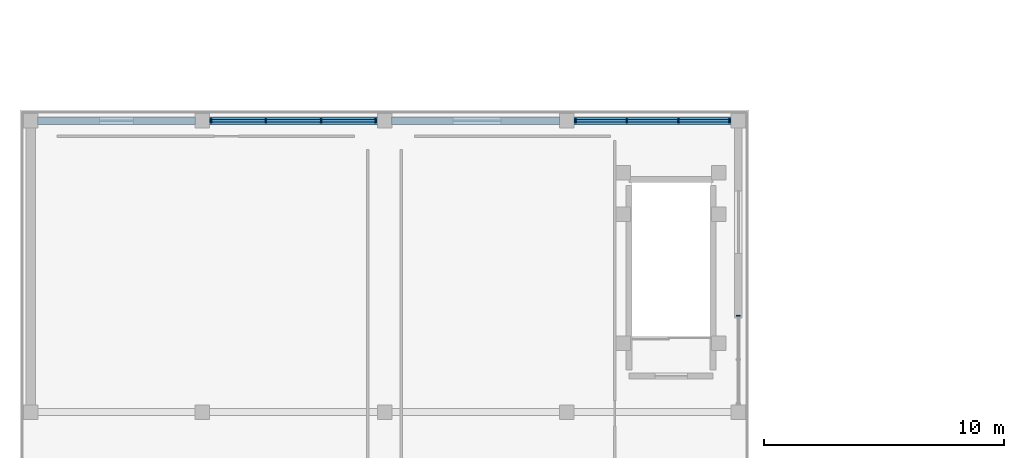
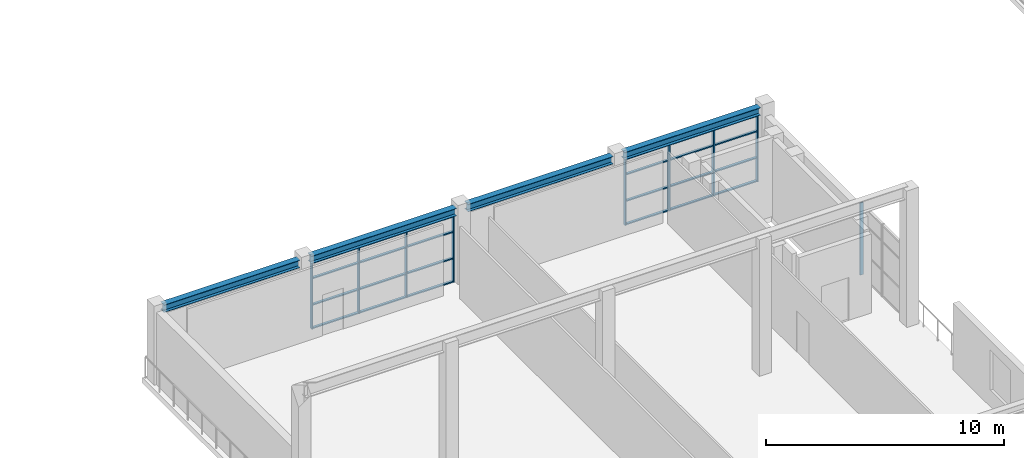
# One storey, part 13 of 87: 33 members, 4 beams, 3 elements without a shape of their own.
"""IFC4 building model written with IfcOpenShell, lengths in metres."""

from ifc_helpers import new_model, si_unit, direction, frame, origin, origin_2d, place, context, subcontext, project, spatial, rectangle, i_section, extrude, material, material_profile, profile_set, type_object, element, aggregate, save


model = new_model("IFC4")

# Units and contexts
model_context = context("Model", 3, precision=1e-05, world=origin(), true_north=direction((0.0, 1.0)))
body_context = subcontext(model_context, "Body", "Model", "MODEL_VIEW")
ifc_project = project(units=[si_unit("LENGTHUNIT", "METRE"), si_unit("AREAUNIT", "SQUARE_METRE"), si_unit("VOLUMEUNIT", "CUBIC_METRE"), si_unit("PLANEANGLEUNIT", "RADIAN"), si_unit("MASSUNIT", "GRAM", prefix="KILO")], contexts=[model_context])

# Site, building, storey
site_placement = place(None, origin())
site = spatial("IfcSite", under=ifc_project, at=site_placement, CompositionType="ELEMENT")
building_placement = place(site_placement, origin())
building = spatial("IfcBuilding", under=site, at=building_placement, Name="Saryqyr Civic Hall", CompositionType="ELEMENT")
storey_placement = place(building_placement, frame((0.0, 0.0, 5.10009765625)))
storey = spatial("IfcBuildingStorey", under=building, at=storey_placement, Name="L01", CompositionType="ELEMENT", Elevation=5.10009765625)

# Curtain wall, member
ifc_material_1 = material(Name="Anodised aluminium and triple low-E glass", Category="aluminium")
curtain_wall_type_1 = type_object("IfcCurtainWallType", Name="ENV-CW-STD-45", PredefinedType="NOTDEFINED", material=ifc_material_1)
curtain_wall_1_placement = place(storey_placement, origin())
curtain_wall_1 = element("IfcCurtainWall", 1, at=curtain_wall_1_placement, inside=storey, type_object=curtain_wall_type_1, Name="Curtain wall V7W-CW-L01-1-1", PredefinedType="NOTDEFINED")
ifc_material_2 = material(Name="Anodised aluminium", Category="aluminium")
ifc_material_profile_1 = material_profile(ifc_material_2, rectangle(XDim=0.06005859375, YDim=0.159912109375, at=origin_2d()), Name="ALU MULLION 60x160")
ifc_profile_set_1 = profile_set([ifc_material_profile_1], Name="Anodised aluminium")
member_type_1 = type_object("IfcMemberType", Name="ENV-CW-MUL-180", PredefinedType="MULLION", material=ifc_profile_set_1)
member_1_placement = place(storey_placement, frame((29.949951171875, 16.6201171875, 0.0), z_axis=(0.0, 0.0, 1.0), x_axis=(0.0, -1.0, 0.0)))
member_1 = element("IfcMember", 2, at=member_1_placement, type_object=member_type_1, Name="CW-45 mullion 1", PredefinedType="MULLION", context=body_context, shape_type="SweptSolid", body=[
    extrude(rectangle(XDim=0.06005859375, YDim=0.159912109375, at=origin_2d()), origin(), (0.0, 0.0, 1.0), 3.699951171875),
])
aggregate(curtain_wall_1, [member_1])

# Curtain wall, members
curtain_wall_type_2 = type_object("IfcCurtainWallType", Name="ENV-CW-STD-61", PredefinedType="NOTDEFINED", material=ifc_material_1)
curtain_wall_2_placement = place(storey_placement, origin())
curtain_wall_2 = element("IfcCurtainWall", 3, at=curtain_wall_2_placement, inside=storey, type_object=curtain_wall_type_2, Name="Curtain wall V7W-CW-L01-2-1", PredefinedType="NOTDEFINED")
member_2_placement = place(storey_placement, frame((7.969970703125, 24.75, 0.0), z_axis=(0.0, 0.0, 1.0), x_axis=(1.0, 0.0, 0.0)))
member_2 = element("IfcMember", 4, at=member_2_placement, type_object=member_type_1, Name="CW-61 mullion 1", PredefinedType="MULLION", context=body_context, shape_type="SweptSolid", body=[
    extrude(rectangle(XDim=0.06005859375, YDim=0.159912109375, at=origin_2d()), origin(), (0.0, 0.0, 1.0), 3.40478515625),
])
member_3_placement = place(storey_placement, frame((10.24658203125, 24.75, 0.0), z_axis=(0.0, 0.0, 1.0), x_axis=(1.0, 0.0, 0.0)))
member_3 = element("IfcMember", 5, at=member_3_placement, type_object=member_type_1, Name="CW-61 mullion 2", PredefinedType="MULLION", context=body_context, shape_type="SweptSolid", body=[
    extrude(rectangle(XDim=0.06005859375, YDim=0.159912109375, at=origin_2d()), origin(), (0.0, 0.0, 1.0), 3.40478515625),
])
member_4_placement = place(storey_placement, frame((12.55322265625, 24.75, 0.0), z_axis=(0.0, 0.0, 1.0), x_axis=(1.0, 0.0, 0.0)))
member_4 = element("IfcMember", 6, at=member_4_placement, type_object=member_type_1, Name="CW-61 mullion 3", PredefinedType="MULLION", context=body_context, shape_type="SweptSolid", body=[
    extrude(rectangle(XDim=0.06005859375, YDim=0.159912109375, at=origin_2d()), origin(), (0.0, 0.0, 1.0), 3.40478515625),
])
member_5_placement = place(storey_placement, frame((14.830078125, 24.75, 0.0), z_axis=(0.0, 0.0, 1.0), x_axis=(1.0, 0.0, 0.0)))
member_5 = element("IfcMember", 7, at=member_5_placement, type_object=member_type_1, Name="CW-61 mullion 4", PredefinedType="MULLION", context=body_context, shape_type="SweptSolid", body=[
    extrude(rectangle(XDim=0.06005859375, YDim=0.159912109375, at=origin_2d()), origin(), (0.0, 0.0, 1.0), 3.40478515625),
])

curtain_wall_type_3 = type_object("IfcCurtainWallType", Name="ENV-CW-STD-62", PredefinedType="NOTDEFINED", material=ifc_material_1)
curtain_wall_3_placement = place(storey_placement, origin())
curtain_wall_3 = element("IfcCurtainWall", 8, at=curtain_wall_3_placement, inside=storey, type_object=curtain_wall_type_3, Name="Curtain wall V7W-CW-L01-2-3", PredefinedType="NOTDEFINED")
member_6_placement = place(storey_placement, frame((23.169921875, 24.75, 0.0), z_axis=(0.0, 0.0, 1.0), x_axis=(1.0, 0.0, 0.0)))
member_6 = element("IfcMember", 9, at=member_6_placement, type_object=member_type_1, Name="CW-62 mullion 1", PredefinedType="MULLION", context=body_context, shape_type="SweptSolid", body=[
    extrude(rectangle(XDim=0.06005859375, YDim=0.159912109375, at=origin_2d()), origin(), (0.0, 0.0, 1.0), 3.40478515625),
])
member_7_placement = place(storey_placement, frame((25.296630859375, 24.75, 0.0), z_axis=(0.0, 0.0, 1.0), x_axis=(1.0, 0.0, 0.0)))
member_7 = element("IfcMember", 10, at=member_7_placement, type_object=member_type_1, Name="CW-62 mullion 2", PredefinedType="MULLION", context=body_context, shape_type="SweptSolid", body=[
    extrude(rectangle(XDim=0.06005859375, YDim=0.159912109375, at=origin_2d()), origin(), (0.0, 0.0, 1.0), 3.40478515625),
])
member_8_placement = place(storey_placement, frame((27.453369140625, 24.75, 0.0), z_axis=(0.0, 0.0, 1.0), x_axis=(1.0, 0.0, 0.0)))
member_8 = element("IfcMember", 11, at=member_8_placement, type_object=member_type_1, Name="CW-62 mullion 3", PredefinedType="MULLION", context=body_context, shape_type="SweptSolid", body=[
    extrude(rectangle(XDim=0.06005859375, YDim=0.159912109375, at=origin_2d()), origin(), (0.0, 0.0, 1.0), 3.40478515625),
])
member_9_placement = place(storey_placement, frame((29.580078125, 24.75, 0.0), z_axis=(0.0, 0.0, 1.0), x_axis=(1.0, 0.0, 0.0)))
member_9 = element("IfcMember", 12, at=member_9_placement, type_object=member_type_1, Name="CW-62 mullion 4", PredefinedType="MULLION", context=body_context, shape_type="SweptSolid", body=[
    extrude(rectangle(XDim=0.06005859375, YDim=0.159912109375, at=origin_2d()), origin(), (0.0, 0.0, 1.0), 3.40478515625),
])

# Member
ifc_material_profile_2 = material_profile(ifc_material_2, rectangle(XDim=0.1201171875, YDim=0.06005859375, at=origin_2d()), Name="ALU TRANSOM 120x60")
ifc_profile_set_2 = profile_set([ifc_material_profile_2], Name="Anodised aluminium")
member_type_2 = type_object("IfcMemberType", Name="ENV-CW-TRN-150", PredefinedType="USERDEFINED", material=ifc_profile_set_2)
member_10_placement = place(storey_placement, frame((8.0, 24.75, 0.02978515625), z_axis=(1.0, 0.0, 0.0), x_axis=(0.0, 1.0, 0.0)))
member_10 = element("IfcMember", 13, at=member_10_placement, type_object=member_type_2, Name="CW-61 transom 1.1", ObjectType="TRANSOM", PredefinedType="USERDEFINED", context=body_context, shape_type="SweptSolid", body=[
    extrude(rectangle(XDim=0.1201171875, YDim=0.06005859375, at=origin_2d()), origin(), (0.0, 0.0, 1.0), 2.216552734375),
])

member_11_placement = place(storey_placement, frame((8.0, 24.75, 1.225830078125), z_axis=(1.0, 0.0, 0.0), x_axis=(0.0, 1.0, 0.0)))
member_11 = element("IfcMember", 14, at=member_11_placement, type_object=member_type_2, Name="CW-61 transom 1.2", ObjectType="TRANSOM", PredefinedType="USERDEFINED", context=body_context, shape_type="SweptSolid", body=[
    extrude(rectangle(XDim=0.1201171875, YDim=0.06005859375, at=origin_2d()), origin(), (0.0, 0.0, 1.0), 2.216552734375),
])

member_12_placement = place(storey_placement, frame((8.0, 24.75, 2.587890625), z_axis=(1.0, 0.0, 0.0), x_axis=(0.0, 1.0, 0.0)))
member_12 = element("IfcMember", 15, at=member_12_placement, type_object=member_type_2, Name="CW-61 transom 1.3", ObjectType="TRANSOM", PredefinedType="USERDEFINED", context=body_context, shape_type="SweptSolid", body=[
    extrude(rectangle(XDim=0.1201171875, YDim=0.06005859375, at=origin_2d()), origin(), (0.0, 0.0, 1.0), 2.216552734375),
])

member_13_placement = place(storey_placement, frame((8.0, 24.75, 3.375), z_axis=(1.0, 0.0, 0.0), x_axis=(0.0, 1.0, 0.0)))
member_13 = element("IfcMember", 16, at=member_13_placement, type_object=member_type_2, Name="CW-61 transom 1.4", ObjectType="TRANSOM", PredefinedType="USERDEFINED", context=body_context, shape_type="SweptSolid", body=[
    extrude(rectangle(XDim=0.1201171875, YDim=0.06005859375, at=origin_2d()), origin(), (0.0, 0.0, 1.0), 2.216552734375),
])

member_14_placement = place(storey_placement, frame((10.276611328125, 24.75, 0.02978515625), z_axis=(1.0, 0.0, 0.0), x_axis=(0.0, 1.0, 0.0)))
member_14 = element("IfcMember", 17, at=member_14_placement, type_object=member_type_2, Name="CW-61 transom 2.1", ObjectType="TRANSOM", PredefinedType="USERDEFINED", context=body_context, shape_type="SweptSolid", body=[
    extrude(rectangle(XDim=0.1201171875, YDim=0.06005859375, at=origin_2d()), origin(), (0.0, 0.0, 1.0), 2.246826171875),
])

member_15_placement = place(storey_placement, frame((10.276611328125, 24.75, 1.225830078125), z_axis=(1.0, 0.0, 0.0), x_axis=(0.0, 1.0, 0.0)))
member_15 = element("IfcMember", 18, at=member_15_placement, type_object=member_type_2, Name="CW-61 transom 2.2", ObjectType="TRANSOM", PredefinedType="USERDEFINED", context=body_context, shape_type="SweptSolid", body=[
    extrude(rectangle(XDim=0.1201171875, YDim=0.06005859375, at=origin_2d()), origin(), (0.0, 0.0, 1.0), 2.246826171875),
])

member_16_placement = place(storey_placement, frame((10.276611328125, 24.75, 2.587890625), z_axis=(1.0, 0.0, 0.0), x_axis=(0.0, 1.0, 0.0)))
member_16 = element("IfcMember", 19, at=member_16_placement, type_object=member_type_2, Name="CW-61 transom 2.3", ObjectType="TRANSOM", PredefinedType="USERDEFINED", context=body_context, shape_type="SweptSolid", body=[
    extrude(rectangle(XDim=0.1201171875, YDim=0.06005859375, at=origin_2d()), origin(), (0.0, 0.0, 1.0), 2.246826171875),
])

member_17_placement = place(storey_placement, frame((10.276611328125, 24.75, 3.375), z_axis=(1.0, 0.0, 0.0), x_axis=(0.0, 1.0, 0.0)))
member_17 = element("IfcMember", 20, at=member_17_placement, type_object=member_type_2, Name="CW-61 transom 2.4", ObjectType="TRANSOM", PredefinedType="USERDEFINED", context=body_context, shape_type="SweptSolid", body=[
    extrude(rectangle(XDim=0.1201171875, YDim=0.06005859375, at=origin_2d()), origin(), (0.0, 0.0, 1.0), 2.246826171875),
])

member_18_placement = place(storey_placement, frame((12.583251953125, 24.75, 0.02978515625), z_axis=(1.0, 0.0, 0.0), x_axis=(0.0, 1.0, 0.0)))
member_18 = element("IfcMember", 21, at=member_18_placement, type_object=member_type_2, Name="CW-61 transom 3.1", ObjectType="TRANSOM", PredefinedType="USERDEFINED", context=body_context, shape_type="SweptSolid", body=[
    extrude(rectangle(XDim=0.1201171875, YDim=0.06005859375, at=origin_2d()), origin(), (0.0, 0.0, 1.0), 2.216796875),
])

member_19_placement = place(storey_placement, frame((12.583251953125, 24.75, 1.225830078125), z_axis=(1.0, 0.0, 0.0), x_axis=(0.0, 1.0, 0.0)))
member_19 = element("IfcMember", 22, at=member_19_placement, type_object=member_type_2, Name="CW-61 transom 3.2", ObjectType="TRANSOM", PredefinedType="USERDEFINED", context=body_context, shape_type="SweptSolid", body=[
    extrude(rectangle(XDim=0.1201171875, YDim=0.06005859375, at=origin_2d()), origin(), (0.0, 0.0, 1.0), 2.216796875),
])

member_20_placement = place(storey_placement, frame((12.583251953125, 24.75, 2.587890625), z_axis=(1.0, 0.0, 0.0), x_axis=(0.0, 1.0, 0.0)))
member_20 = element("IfcMember", 23, at=member_20_placement, type_object=member_type_2, Name="CW-61 transom 3.3", ObjectType="TRANSOM", PredefinedType="USERDEFINED", context=body_context, shape_type="SweptSolid", body=[
    extrude(rectangle(XDim=0.1201171875, YDim=0.06005859375, at=origin_2d()), origin(), (0.0, 0.0, 1.0), 2.216796875),
])

member_21_placement = place(storey_placement, frame((12.583251953125, 24.75, 3.375), z_axis=(1.0, 0.0, 0.0), x_axis=(0.0, 1.0, 0.0)))
member_21 = element("IfcMember", 24, at=member_21_placement, type_object=member_type_2, Name="CW-61 transom 3.4", ObjectType="TRANSOM", PredefinedType="USERDEFINED", context=body_context, shape_type="SweptSolid", body=[
    extrude(rectangle(XDim=0.1201171875, YDim=0.06005859375, at=origin_2d()), origin(), (0.0, 0.0, 1.0), 2.216796875),
])

aggregate(curtain_wall_2, [member_2, member_3, member_4, member_5, member_10, member_11, member_12, member_13, member_14, member_15, member_16, member_17, member_18, member_19, member_20, member_21])

member_22_placement = place(storey_placement, frame((23.199951171875, 24.75, 0.02978515625), z_axis=(1.0, 0.0, 0.0), x_axis=(0.0, 1.0, 0.0)))
member_22 = element("IfcMember", 25, at=member_22_placement, type_object=member_type_2, Name="CW-62 transom 1.1", ObjectType="TRANSOM", PredefinedType="USERDEFINED", context=body_context, shape_type="SweptSolid", body=[
    extrude(rectangle(XDim=0.1201171875, YDim=0.06005859375, at=origin_2d()), origin(), (0.0, 0.0, 1.0), 2.066650390625),
])

member_23_placement = place(storey_placement, frame((23.199951171875, 24.75, 1.225830078125), z_axis=(1.0, 0.0, 0.0), x_axis=(0.0, 1.0, 0.0)))
member_23 = element("IfcMember", 26, at=member_23_placement, type_object=member_type_2, Name="CW-62 transom 1.2", ObjectType="TRANSOM", PredefinedType="USERDEFINED", context=body_context, shape_type="SweptSolid", body=[
    extrude(rectangle(XDim=0.1201171875, YDim=0.06005859375, at=origin_2d()), origin(), (0.0, 0.0, 1.0), 2.066650390625),
])

member_24_placement = place(storey_placement, frame((23.199951171875, 24.75, 2.587890625), z_axis=(1.0, 0.0, 0.0), x_axis=(0.0, 1.0, 0.0)))
member_24 = element("IfcMember", 27, at=member_24_placement, type_object=member_type_2, Name="CW-62 transom 1.3", ObjectType="TRANSOM", PredefinedType="USERDEFINED", context=body_context, shape_type="SweptSolid", body=[
    extrude(rectangle(XDim=0.1201171875, YDim=0.06005859375, at=origin_2d()), origin(), (0.0, 0.0, 1.0), 2.066650390625),
])

member_25_placement = place(storey_placement, frame((23.199951171875, 24.75, 3.375), z_axis=(1.0, 0.0, 0.0), x_axis=(0.0, 1.0, 0.0)))
member_25 = element("IfcMember", 28, at=member_25_placement, type_object=member_type_2, Name="CW-62 transom 1.4", ObjectType="TRANSOM", PredefinedType="USERDEFINED", context=body_context, shape_type="SweptSolid", body=[
    extrude(rectangle(XDim=0.1201171875, YDim=0.06005859375, at=origin_2d()), origin(), (0.0, 0.0, 1.0), 2.066650390625),
])

member_26_placement = place(storey_placement, frame((25.32666015625, 24.75, 0.02978515625), z_axis=(1.0, 0.0, 0.0), x_axis=(0.0, 1.0, 0.0)))
member_26 = element("IfcMember", 29, at=member_26_placement, type_object=member_type_2, Name="CW-62 transom 2.1", ObjectType="TRANSOM", PredefinedType="USERDEFINED", context=body_context, shape_type="SweptSolid", body=[
    extrude(rectangle(XDim=0.1201171875, YDim=0.06005859375, at=origin_2d()), origin(), (0.0, 0.0, 1.0), 2.0966796875),
])

member_27_placement = place(storey_placement, frame((25.32666015625, 24.75, 1.225830078125), z_axis=(1.0, 0.0, 0.0), x_axis=(0.0, 1.0, 0.0)))
member_27 = element("IfcMember", 30, at=member_27_placement, type_object=member_type_2, Name="CW-62 transom 2.2", ObjectType="TRANSOM", PredefinedType="USERDEFINED", context=body_context, shape_type="SweptSolid", body=[
    extrude(rectangle(XDim=0.1201171875, YDim=0.06005859375, at=origin_2d()), origin(), (0.0, 0.0, 1.0), 2.0966796875),
])

member_28_placement = place(storey_placement, frame((25.32666015625, 24.75, 2.587890625), z_axis=(1.0, 0.0, 0.0), x_axis=(0.0, 1.0, 0.0)))
member_28 = element("IfcMember", 31, at=member_28_placement, type_object=member_type_2, Name="CW-62 transom 2.3", ObjectType="TRANSOM", PredefinedType="USERDEFINED", context=body_context, shape_type="SweptSolid", body=[
    extrude(rectangle(XDim=0.1201171875, YDim=0.06005859375, at=origin_2d()), origin(), (0.0, 0.0, 1.0), 2.0966796875),
])

member_29_placement = place(storey_placement, frame((25.32666015625, 24.75, 3.375), z_axis=(1.0, 0.0, 0.0), x_axis=(0.0, 1.0, 0.0)))
member_29 = element("IfcMember", 32, at=member_29_placement, type_object=member_type_2, Name="CW-62 transom 2.4", ObjectType="TRANSOM", PredefinedType="USERDEFINED", context=body_context, shape_type="SweptSolid", body=[
    extrude(rectangle(XDim=0.1201171875, YDim=0.06005859375, at=origin_2d()), origin(), (0.0, 0.0, 1.0), 2.0966796875),
])

member_30_placement = place(storey_placement, frame((27.4833984375, 24.75, 0.02978515625), z_axis=(1.0, 0.0, 0.0), x_axis=(0.0, 1.0, 0.0)))
member_30 = element("IfcMember", 33, at=member_30_placement, type_object=member_type_2, Name="CW-62 transom 3.1", ObjectType="TRANSOM", PredefinedType="USERDEFINED", context=body_context, shape_type="SweptSolid", body=[
    extrude(rectangle(XDim=0.1201171875, YDim=0.06005859375, at=origin_2d()), origin(), (0.0, 0.0, 1.0), 2.066650390625),
])

member_31_placement = place(storey_placement, frame((27.4833984375, 24.75, 1.225830078125), z_axis=(1.0, 0.0, 0.0), x_axis=(0.0, 1.0, 0.0)))
member_31 = element("IfcMember", 34, at=member_31_placement, type_object=member_type_2, Name="CW-62 transom 3.2", ObjectType="TRANSOM", PredefinedType="USERDEFINED", context=body_context, shape_type="SweptSolid", body=[
    extrude(rectangle(XDim=0.1201171875, YDim=0.06005859375, at=origin_2d()), origin(), (0.0, 0.0, 1.0), 2.066650390625),
])

member_32_placement = place(storey_placement, frame((27.4833984375, 24.75, 2.587890625), z_axis=(1.0, 0.0, 0.0), x_axis=(0.0, 1.0, 0.0)))
member_32 = element("IfcMember", 35, at=member_32_placement, type_object=member_type_2, Name="CW-62 transom 3.3", ObjectType="TRANSOM", PredefinedType="USERDEFINED", context=body_context, shape_type="SweptSolid", body=[
    extrude(rectangle(XDim=0.1201171875, YDim=0.06005859375, at=origin_2d()), origin(), (0.0, 0.0, 1.0), 2.066650390625),
])

member_33_placement = place(storey_placement, frame((27.4833984375, 24.75, 3.375), z_axis=(1.0, 0.0, 0.0), x_axis=(0.0, 1.0, 0.0)))
member_33 = element("IfcMember", 36, at=member_33_placement, type_object=member_type_2, Name="CW-62 transom 3.4", ObjectType="TRANSOM", PredefinedType="USERDEFINED", context=body_context, shape_type="SweptSolid", body=[
    extrude(rectangle(XDim=0.1201171875, YDim=0.06005859375, at=origin_2d()), origin(), (0.0, 0.0, 1.0), 2.066650390625),
])

aggregate(curtain_wall_3, [member_6, member_7, member_8, member_9, member_22, member_23, member_24, member_25, member_26, member_27, member_28, member_29, member_30, member_31, member_32, member_33])

# Beams
ifc_material_3 = material(Name="Steel S355", Category="steel")
ifc_material_profile_3 = material_profile(ifc_material_3, i_section(OverallWidth=0.300048828125, OverallDepth=0.389892578125, WebThickness=0.010986328125, FlangeThickness=0.01904296875, at=origin_2d()), Name="HEA 400")
ifc_profile_set_3 = profile_set([ifc_material_profile_3], Name="Steel S355")
beam_type = type_object("IfcBeamType", Name="STR-BM-HEA400", PredefinedType="BEAM", material=ifc_profile_set_3)
beam_1_placement = place(storey_placement, frame((0.72509765625, 24.75, 3.625), z_axis=(1.0, 0.0, 0.0), x_axis=(0.0, 1.0, 0.0)))
element("IfcBeam", 37, at=beam_1_placement, inside=storey, type_object=beam_type, Name="Beam V7W-EBM-N1", PredefinedType="BEAM", context=body_context, shape_type="SweptSolid", body=[
    extrude(i_section(OverallWidth=0.300048828125, OverallDepth=0.389892578125, WebThickness=0.010986328125, FlangeThickness=0.01904296875, at=origin_2d()), origin(), (0.0, 0.0, 1.0), 6.599853515625),
])
beam_2_placement = place(storey_placement, frame((7.875, 24.75, 3.625), z_axis=(1.0, 0.0, 0.0), x_axis=(0.0, 1.0, 0.0)))
element("IfcBeam", 38, at=beam_2_placement, inside=storey, type_object=beam_type, Name="Beam V7W-EBM-N2", PredefinedType="BEAM", context=body_context, shape_type="SweptSolid", body=[
    extrude(i_section(OverallWidth=0.300048828125, OverallDepth=0.389892578125, WebThickness=0.010986328125, FlangeThickness=0.01904296875, at=origin_2d()), origin(), (0.0, 0.0, 1.0), 7.050048828125),
])
beam_3_placement = place(storey_placement, frame((15.47509765625, 24.75, 3.625), z_axis=(1.0, 0.0, 0.0), x_axis=(0.0, 1.0, 0.0)))
element("IfcBeam", 39, at=beam_3_placement, inside=storey, type_object=beam_type, Name="Beam V7W-EBM-N3", PredefinedType="BEAM", context=body_context, shape_type="SweptSolid", body=[
    extrude(i_section(OverallWidth=0.300048828125, OverallDepth=0.389892578125, WebThickness=0.010986328125, FlangeThickness=0.01904296875, at=origin_2d()), origin(), (0.0, 0.0, 1.0), 7.0498046875),
])
beam_4_placement = place(storey_placement, frame((23.074951171875, 24.75, 3.625), z_axis=(1.0, 0.0, 0.0), x_axis=(0.0, 1.0, 0.0)))
element("IfcBeam", 40, at=beam_4_placement, inside=storey, type_object=beam_type, Name="Beam V7W-EBM-N4", PredefinedType="BEAM", context=body_context, shape_type="SweptSolid", body=[
    extrude(i_section(OverallWidth=0.300048828125, OverallDepth=0.389892578125, WebThickness=0.010986328125, FlangeThickness=0.01904296875, at=origin_2d()), origin(), (0.0, 0.0, 1.0), 6.60009765625),
])

save(model, "model.ifc")
